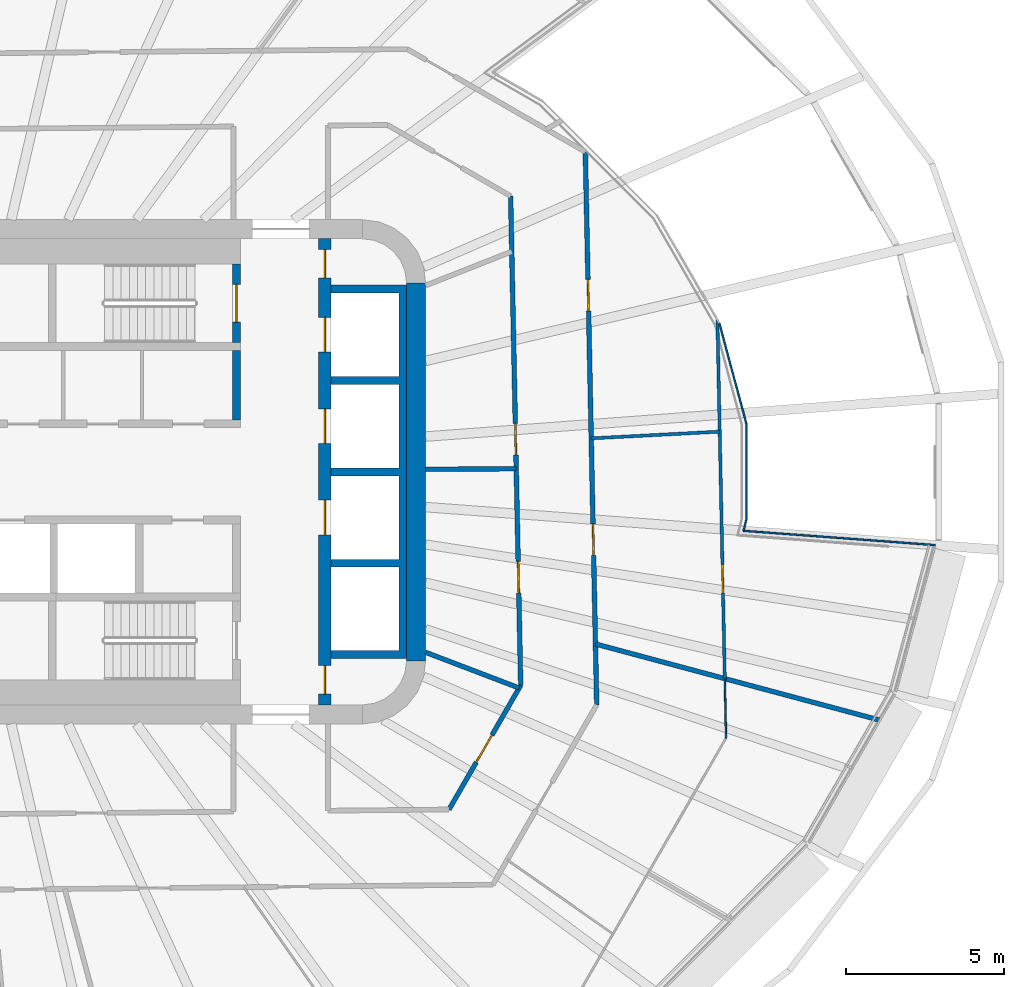
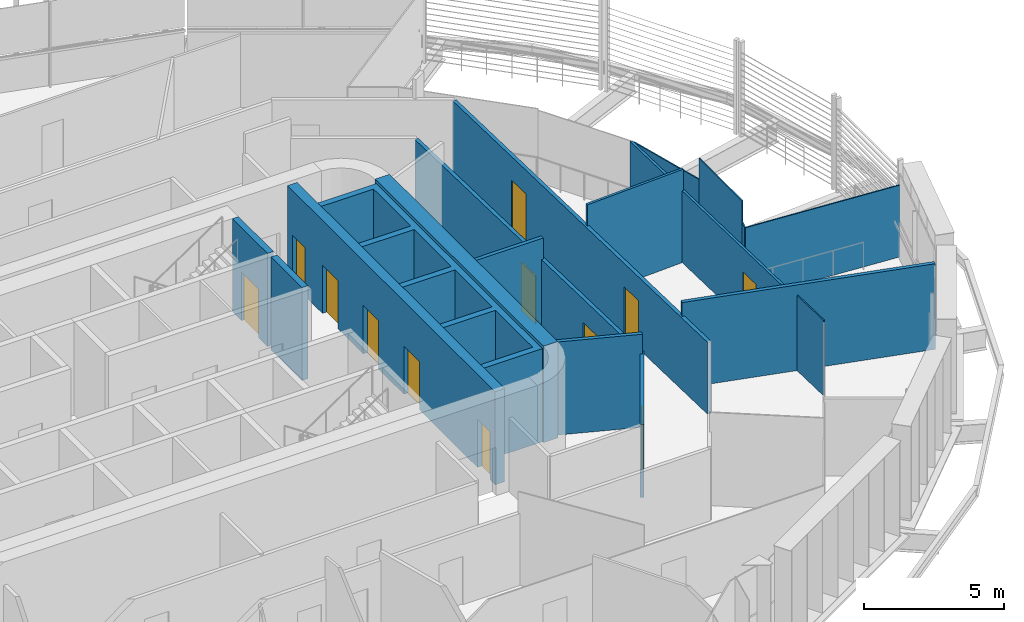
# One storey, part 15 of 24: 18 walls, 12 doors, 12 openings.
"""IFC4 building model written with IfcOpenShell, lengths in metres."""

from ifc_helpers import new_model, si_unit, direction, frame, frame_2d, origin, place, context, subcontext, project, spatial, polyline, rectangle, outline, extrude, material, layer, layer_set, type_object, element, fill, save


model = new_model("IFC4")

# Units and contexts
model_context = context("Model", 3, precision=1e-05, world=origin(), true_north=direction((0.0, 1.0)))
body_context = subcontext(model_context, "Body", "Model", "MODEL_VIEW")
ifc_project = project(units=[si_unit("LENGTHUNIT", "METRE"), si_unit("AREAUNIT", "SQUARE_METRE"), si_unit("VOLUMEUNIT", "CUBIC_METRE"), si_unit("PLANEANGLEUNIT", "RADIAN"), si_unit("MASSUNIT", "GRAM", prefix="KILO")], contexts=[model_context])

# Site, building, storey
site_placement = place(None, origin())
site = spatial("IfcSite", under=ifc_project, at=site_placement, CompositionType="ELEMENT")
building_placement = place(site_placement, origin())
building = spatial("IfcBuilding", under=site, at=building_placement, Name="Sahrelin Media Tower", CompositionType="ELEMENT")
storey_placement = place(building_placement, frame((0.0, 0.0, 71.39990234375)))
storey = spatial("IfcBuildingStorey", under=building, at=storey_placement, Name="L12", CompositionType="ELEMENT", Elevation=71.39990234375)

# Walls
ifc_material_1 = material(Name="Concrete C60/75", Category="concrete")
ifc_layer_1 = layer(ifc_material_1, 0.60009765625)
ifc_layer_set_1 = layer_set([ifc_layer_1], Name="Core wall 600")
wall_type_1 = type_object("IfcWallType", Name="Core wall 600", PredefinedType="SHEAR", material=ifc_layer_set_1)
wall_1_placement = place(storey_placement, frame((14.699951171875, -6.0, 0.0), z_axis=(0.0, 0.0, 1.0), x_axis=(0.0, 1.0, 0.0)))
element("IfcWall", 1, at=wall_1_placement, inside=storey, type_object=wall_type_1, Name="Core wall E L12", PredefinedType="SHEAR", context=body_context, shape_type="SweptSolid", body=[
    extrude(rectangle(XDim=12.0, YDim=0.60009765625, at=frame_2d((6.0, 0.0))), origin(), (0.0, 0.0, 1.0), 4.2001953125),
])
ifc_material_2 = material(Name="Fire-rated gypsum board partition")
ifc_layer_2 = layer(ifc_material_2, 0.25)
ifc_layer_set_2 = layer_set([ifc_layer_2], Name="Fire-rated lobby wall 250")
wall_type_2 = type_object("IfcWallType", Name="Fire-rated lobby wall 250", PredefinedType="PARTITIONING", material=ifc_layer_set_2)
wall_2_placement = place(storey_placement, frame((9.0, 1.64990234375, 0.0), z_axis=(0.0, 0.0, 1.0), x_axis=(0.0, 1.0, 0.0)))
element("IfcWall", 2, at=wall_2_placement, inside=storey, type_object=wall_type_2, Name="Core lobby wall", PredefinedType="PARTITIONING", context=body_context, shape_type="SweptSolid", body=[
    extrude(rectangle(XDim=2.2001953125, YDim=0.25, at=frame_2d((1.10009765625, 0.0))), origin(), (0.0, 0.0, 1.0), 4.050048828125),
])

# Wall, openings, doors
ifc_layer_3 = layer(ifc_material_2, 0.14990234375)
ifc_layer_set_3 = layer_set([ifc_layer_3], Name="Fire-rated partition 150")
wall_type_3 = type_object("IfcWallType", Name="Fire-rated partition 150", PredefinedType="PARTITIONING", material=ifc_layer_set_3)
wall_3_placement = place(storey_placement, frame((17.697021484375, 8.7529296875, 0.0), z_axis=(0.0, 0.0, 1.0), x_axis=(0.020608181841, -0.99978762887, 0.0)))
wall_3 = element("IfcWall", 3, at=wall_3_placement, inside=storey, type_object=wall_type_3, Name="Wall", PredefinedType="PARTITIONING", context=body_context, shape_type="SweptSolid", body=[
    extrude(rectangle(XDim=15.53125, YDim=0.14990234375, at=frame_2d((7.765625, 0.0))), origin(), (0.0, 0.0, 1.0), 3.127197265625),
])
opening_1_placement = place(wall_3_placement, frame((11.595703125, 0.0, 0.0)))
opening_1 = element("IfcOpeningElement", 4, at=opening_1_placement, cuts=wall_3, Name="Opening L12-D26", PredefinedType="OPENING", context=body_context, shape_type="SweptSolid", body=[
    extrude(rectangle(XDim=1.0, YDim=2.10009765625, at=frame_2d((0.5, 1.050048828125))), frame((0.0, 0.074951171875, 0.0), z_axis=(0.0, -1.0, 0.0), x_axis=(1.0, 0.0, 0.0)), (0.0, 0.0, 1.0), 0.14990234375),
])
opening_2_placement = place(wall_3_placement, frame((7.215576171875, 0.0, 0.0)))
opening_2 = element("IfcOpeningElement", 5, at=opening_2_placement, cuts=wall_3, Name="Opening L12-D27", PredefinedType="OPENING", context=body_context, shape_type="SweptSolid", body=[
    extrude(rectangle(XDim=1.0, YDim=2.10009765625, at=frame_2d((0.5, 1.050048828125))), frame((0.0, 0.074951171875, 0.0), z_axis=(0.0, -1.0, 0.0), x_axis=(1.0, 0.0, 0.0)), (0.0, 0.0, 1.0), 0.14990234375),
])
ifc_material_3 = material(Name="Steel fire door leaf", Category="steel")
door_type_1 = type_object("IfcDoorType", Name="Fire door 1000 x 2100 EI 60", OperationType="NOTDEFINED", PredefinedType="DOOR", material=ifc_material_3)
door_1_placement = place(opening_1_placement, origin())
door_1 = element("IfcDoor", 6, at=door_1_placement, inside=storey, type_object=door_type_1, Name="Fire door", OperationType="SINGLE_SWING_RIGHT", OverallHeight=2.10009765625, OverallWidth=1.0, PredefinedType="DOOR", context=body_context, shape_type="SweptSolid", body=[
    extrude(rectangle(XDim=1.0, YDim=2.10009765625, at=frame_2d((0.5, 1.050048828125))), frame((0.0, 0.02490234375, 0.0), z_axis=(0.0, -1.0, 0.0), x_axis=(1.0, 0.0, 0.0)), (0.0, 0.0, 1.0), 0.050048828125),
])
fill(opening_1, door_1)
door_2_placement = place(opening_2_placement, origin())
door_2 = element("IfcDoor", 7, at=door_2_placement, inside=storey, type_object=door_type_1, Name="Fire door", OperationType="SINGLE_SWING_LEFT", OverallHeight=2.10009765625, OverallWidth=1.0, PredefinedType="DOOR", context=body_context, shape_type="SweptSolid", body=[
    extrude(rectangle(XDim=1.0, YDim=2.10009765625, at=frame_2d((0.5, 1.050048828125))), frame((0.0, 0.02490234375, 0.0), z_axis=(0.0, -1.0, 0.0), x_axis=(1.0, 0.0, 0.0)), (0.0, 0.0, 1.0), 0.050048828125),
])
fill(opening_2, door_2)

wall_4_placement = place(storey_placement, frame((20.0673828125, 10.155029296875, 0.0), z_axis=(0.0, 0.0, 1.0), x_axis=(0.020611882214, -0.999787552589, 0.0)))
wall_4 = element("IfcWall", 8, at=wall_4_placement, inside=storey, type_object=wall_type_3, Name="Wall", PredefinedType="PARTITIONING", context=body_context, shape_type="SweptSolid", body=[
    extrude(rectangle(XDim=17.5537109375, YDim=0.14990234375, at=frame_2d((8.77685546875, 0.0))), origin(), (0.0, 0.0, 1.0), 3.127197265625),
])
opening_3_placement = place(wall_4_placement, frame((11.80810546875, 0.0, 0.0)))
opening_3 = element("IfcOpeningElement", 9, at=opening_3_placement, cuts=wall_4, Name="Opening L12-D50", PredefinedType="OPENING", context=body_context, shape_type="SweptSolid", body=[
    extrude(rectangle(XDim=1.0, YDim=2.10009765625, at=frame_2d((0.5, 1.050048828125))), frame((0.0, 0.074951171875, 0.0), z_axis=(0.0, -1.0, 0.0), x_axis=(1.0, 0.0, 0.0)), (0.0, 0.0, 1.0), 0.14990234375),
])
opening_4_placement = place(wall_4_placement, frame((4.0478515625, 0.0, 0.0)))
opening_4 = element("IfcOpeningElement", 10, at=opening_4_placement, cuts=wall_4, Name="Opening L12-D51", PredefinedType="OPENING", context=body_context, shape_type="SweptSolid", body=[
    extrude(rectangle(XDim=1.0, YDim=2.10009765625, at=frame_2d((0.5, 1.050048828125))), frame((0.0, 0.074951171875, 0.0), z_axis=(0.0, -1.0, 0.0), x_axis=(1.0, 0.0, 0.0)), (0.0, 0.0, 1.0), 0.14990234375),
])
door_3_placement = place(opening_3_placement, origin())
door_3 = element("IfcDoor", 11, at=door_3_placement, inside=storey, type_object=door_type_1, Name="Fire door", OperationType="SINGLE_SWING_RIGHT", OverallHeight=2.10009765625, OverallWidth=1.0, PredefinedType="DOOR", context=body_context, shape_type="SweptSolid", body=[
    extrude(rectangle(XDim=1.0, YDim=2.10009765625, at=frame_2d((0.5, 1.050048828125))), frame((0.0, 0.02490234375, 0.0), z_axis=(0.0, -1.0, 0.0), x_axis=(1.0, 0.0, 0.0)), (0.0, 0.0, 1.0), 0.050048828125),
])
fill(opening_3, door_3)
door_4_placement = place(opening_4_placement, origin())
door_4 = element("IfcDoor", 12, at=door_4_placement, inside=storey, type_object=door_type_1, Name="Fire door", OperationType="SINGLE_SWING_RIGHT", OverallHeight=2.10009765625, OverallWidth=1.0, PredefinedType="DOOR", context=body_context, shape_type="SweptSolid", body=[
    extrude(rectangle(XDim=1.0, YDim=2.10009765625, at=frame_2d((0.5, 1.050048828125))), frame((0.0, 0.02490234375, 0.0), z_axis=(0.0, -1.0, 0.0), x_axis=(1.0, 0.0, 0.0)), (0.0, 0.0, 1.0), 0.050048828125),
])
fill(opening_4, door_4)

# Walls
wall_5_placement = place(storey_placement, frame((15.0, -5.72705078125, 0.0), z_axis=(0.0, 0.0, 1.0), x_axis=(0.934237940374, -0.356650348053, 0.0)))
element("IfcWall", 13, at=wall_5_placement, inside=storey, type_object=wall_type_3, Name="Wall", PredefinedType="PARTITIONING", context=body_context, shape_type="SweptSolid", body=[
    extrude(rectangle(XDim=3.177001953125, YDim=0.14990234375, at=frame_2d((1.58837890625, 0.0))), origin(), (0.0, 0.0, 1.0), 4.050048828125),
])
wall_6_placement = place(storey_placement, frame((20.389892578125, -5.462890625, 0.0), z_axis=(0.0, 0.0, 1.0), x_axis=(0.965917395295, -0.25885050795, 0.0)))
element("IfcWall", 14, at=wall_6_placement, inside=storey, type_object=wall_type_3, Name="Wall", PredefinedType="PARTITIONING", context=body_context, shape_type="SweptSolid", body=[
    extrude(rectangle(XDim=9.349609375, YDim=0.14990234375, at=frame_2d((4.6748046875, 0.0))), origin(), (0.0, 0.0, 1.0), 3.726806640625),
])
wall_7_placement = place(storey_placement, frame((15.0, 0.0810546875, 0.0), z_axis=(0.0, 0.0, 1.0), x_axis=(0.999985231896, 0.005434702347, 0.0)))
element("IfcWall", 15, at=wall_7_placement, inside=storey, type_object=wall_type_3, Name="Wall", PredefinedType="PARTITIONING", context=body_context, shape_type="SweptSolid", body=[
    extrude(rectangle(XDim=2.875, YDim=0.14990234375, at=frame_2d((1.4375, 0.0))), origin(), (0.0, 0.0, 1.0), 4.050048828125),
])

# Wall, opening, door
wall_8_placement = place(storey_placement, frame((15.741943359375, -10.715087890625, 0.0), z_axis=(0.0, 0.0, 1.0), x_axis=(0.499965549051, 0.866045293135, 0.0)))
wall_8 = element("IfcWall", 16, at=wall_8_placement, inside=storey, type_object=wall_type_3, Name="Wall", PredefinedType="PARTITIONING", context=body_context, shape_type="SweptSolid", body=[
    extrude(rectangle(XDim=4.549560546875, YDim=0.14990234375, at=frame_2d((2.27490234375, 0.0))), origin(), (0.0, 0.0, 1.0), 3.1953125),
])
opening_5_placement = place(wall_8_placement, frame((1.727783203125, 0.0, 0.0)))
opening_5 = element("IfcOpeningElement", 17, at=opening_5_placement, cuts=wall_8, Name="Opening L12-D25", PredefinedType="OPENING", context=body_context, shape_type="SweptSolid", body=[
    extrude(rectangle(XDim=1.0, YDim=2.10009765625, at=frame_2d((0.5, 1.050048828125))), frame((0.0, 0.074951171875, 0.0), z_axis=(0.0, -1.0, 0.0), x_axis=(1.0, 0.0, 0.0)), (0.0, 0.0, 1.0), 0.14990234375),
])
door_5_placement = place(opening_5_placement, origin())
door_5 = element("IfcDoor", 18, at=door_5_placement, inside=storey, type_object=door_type_1, Name="Fire door", OperationType="SINGLE_SWING_RIGHT", OverallHeight=2.10009765625, OverallWidth=1.0, PredefinedType="DOOR", context=body_context, shape_type="SweptSolid", body=[
    extrude(rectangle(XDim=1.0, YDim=2.10009765625, at=frame_2d((0.5, 1.050048828125))), frame((0.0, 0.02490234375, 0.0), z_axis=(0.0, -1.0, 0.0), x_axis=(1.0, 0.0, 0.0)), (0.0, 0.0, 1.0), 0.050048828125),
])
fill(opening_5, door_5)

# Walls
ifc_material_4 = material(Name="Clear glass", Category="glass")
ifc_layer_4 = layer(ifc_material_4, 0.050048828125)
ifc_layer_set_4 = layer_set([ifc_layer_4], Name="Glazed partition 50")
wall_type_4 = type_object("IfcWallType", Name="Glazed partition 50", PredefinedType="PARTITIONING", material=ifc_layer_set_4)
wall_9_placement = place(storey_placement, frame((24.493896484375, -6.56298828125, 0.0), z_axis=(0.0, 0.0, 1.0), x_axis=(0.020707532967, -0.99978557605, 0.0)))
element("IfcWall", 19, at=wall_9_placement, inside=storey, type_object=wall_type_4, Name="Wall", PredefinedType="PARTITIONING", context=body_context, shape_type="SweptSolid", body=[
    extrude(rectangle(XDim=1.886474609375, YDim=0.050048828125, at=frame_2d((0.943359375, 0.0))), origin(), (0.0, 0.0, 1.0), 3.276123046875),
])
wall_10_placement = place(storey_placement, frame((24.326904296875, 4.7060546875, 0.0), z_axis=(0.0, 0.0, 1.0), x_axis=(0.258930604243, -0.965895927202, 0.0)))
element("IfcWall", 20, at=wall_10_placement, inside=storey, type_object=wall_type_4, Name="Wall", PredefinedType="PARTITIONING", context=body_context, shape_type="SweptSolid", body=[
    extrude(rectangle(XDim=3.283203125, YDim=0.050048828125, at=frame_2d((1.6416015625, 0.0))), origin(), (0.0, 0.0, 1.0), 3.127197265625),
])
wall_11_placement = place(storey_placement, frame((25.0869140625, -1.87109375, 0.0), z_axis=(0.0, 0.0, 1.0), x_axis=(0.997234603804, -0.074317864441, 0.0)))
element("IfcWall", 21, at=wall_11_placement, inside=storey, type_object=wall_type_4, Name="Wall", PredefinedType="PARTITIONING", context=body_context, shape_type="SweptSolid", body=[
    extrude(rectangle(XDim=6.10693359375, YDim=0.050048828125, at=frame_2d((3.053466796875, 0.0))), origin(), (0.0, 0.0, 1.0), 3.127197265625),
])
wall_12_placement = place(storey_placement, frame((25.0869140625, -1.87109375, 0.0), z_axis=(0.0, 0.0, 1.0), x_axis=(0.258841272413, 0.965919870225, 0.0)))
element("IfcWall", 22, at=wall_12_placement, inside=storey, type_object=wall_type_4, Name="Wall", PredefinedType="PARTITIONING", context=body_context, shape_type="SweptSolid", body=[
    extrude(rectangle(XDim=0.34814453125, YDim=0.050048828125, at=frame_2d((0.174072265625, 0.0))), origin(), (0.0, 0.0, 1.0), 3.127197265625),
])
wall_13_placement = place(storey_placement, frame((25.177001953125, -1.534912109375, 0.0), z_axis=(0.0, 0.0, 1.0), x_axis=(0.0, 1.0, 0.0)))
element("IfcWall", 23, at=wall_13_placement, inside=storey, type_object=wall_type_4, Name="Wall", PredefinedType="PARTITIONING", context=body_context, shape_type="SweptSolid", body=[
    extrude(rectangle(XDim=3.06982421875, YDim=0.050048828125, at=frame_2d((1.534912109375, 0.0))), origin(), (0.0, 0.0, 1.0), 4.050048828125),
])
ifc_layer_5 = layer(ifc_material_1, 0.25)
ifc_layer_set_5 = layer_set([ifc_layer_5], Name="Lift shaft wall 250")
wall_type_5 = type_object("IfcWallType", Name="Lift shaft wall 250", PredefinedType="SOLIDWALL", material=ifc_layer_set_5)
wall_14_placement = place(storey_placement, origin())
element("IfcWall", 24, at=wall_14_placement, inside=storey, type_object=wall_type_5, Name="Lift shaft wall", PredefinedType="SOLIDWALL", context=body_context, shape_type="SweptSolid", body=[
    extrude(outline(polyline([(12.0, -5.675048828125), (12.0, -5.925048828125), (14.14990234375, -5.925048828125), (14.39990234375, -5.925048828125), (14.39990234375, -5.675048828125), (14.39990234375, -3.02490234375), (14.39990234375, -2.77490234375), (14.39990234375, -0.125), (14.39990234375, 0.125), (14.39990234375, 2.77490234375), (14.39990234375, 3.02490234375), (14.39990234375, 5.675048828125), (14.39990234375, 5.925048828125), (14.14990234375, 5.925048828125), (12.0, 5.925048828125), (12.0, 5.675048828125), (14.14990234375, 5.675048828125), (14.14990234375, 3.02490234375), (12.0, 3.02490234375), (12.0, 2.77490234375), (14.14990234375, 2.77490234375), (14.14990234375, 0.125), (12.0, 0.125), (12.0, -0.125), (14.14990234375, -0.125), (14.14990234375, -2.77490234375), (12.0, -2.77490234375), (12.0, -3.02490234375), (14.14990234375, -3.02490234375), (14.14990234375, -5.675048828125), (12.0, -5.675048828125)])), origin(), (0.0, 0.0, 1.0), 4.050048828125),
])

# Wall, openings, doors
ifc_layer_6 = layer(ifc_material_1, 0.39990234375)
ifc_layer_set_6 = layer_set([ifc_layer_6], Name="Lift shaft wall 400")
wall_type_6 = type_object("IfcWallType", Name="Lift shaft wall 400", PredefinedType="SOLIDWALL", material=ifc_layer_set_6)
wall_15_placement = place(storey_placement, frame((11.800048828125, -7.39990234375, 0.0), z_axis=(0.0, 0.0, 1.0), x_axis=(0.0, 1.0, 0.0)))
wall_15 = element("IfcWall", 25, at=wall_15_placement, inside=storey, type_object=wall_type_6, Name="Lift shaft wall", PredefinedType="SOLIDWALL", context=body_context, shape_type="SweptSolid", body=[
    extrude(rectangle(XDim=14.7998046875, YDim=0.39990234375, at=frame_2d((7.39990234375, 0.0))), origin(), (0.0, 0.0, 1.0), 4.050048828125),
])
opening_6_placement = place(wall_15_placement, frame((11.199951171875, 0.0, 0.0)))
opening_6 = element("IfcOpeningElement", 26, at=opening_6_placement, cuts=wall_15, Name="Opening L12-LD-LR4", PredefinedType="OPENING", context=body_context, shape_type="SweptSolid", body=[
    extrude(rectangle(XDim=1.10009765625, YDim=2.10009765625, at=frame_2d((0.550048828125, 1.050048828125))), frame((0.0, 0.199951171875, 0.0), z_axis=(0.0, -1.0, 0.0), x_axis=(1.0, 0.0, 0.0)), (0.0, 0.0, 1.0), 0.39990234375),
])
opening_7_placement = place(wall_15_placement, frame((8.300048828125, 0.0, 0.0)))
opening_7 = element("IfcOpeningElement", 27, at=opening_7_placement, cuts=wall_15, Name="Opening L12-LD-LR5", PredefinedType="OPENING", context=body_context, shape_type="SweptSolid", body=[
    extrude(rectangle(XDim=1.10009765625, YDim=2.10009765625, at=frame_2d((0.550048828125, 1.050048828125))), frame((0.0, 0.199951171875, 0.0), z_axis=(0.0, -1.0, 0.0), x_axis=(1.0, 0.0, 0.0)), (0.0, 0.0, 1.0), 0.39990234375),
])
opening_8_placement = place(wall_15_placement, frame((5.39990234375, 0.0, 0.0)))
opening_8 = element("IfcOpeningElement", 28, at=opening_8_placement, cuts=wall_15, Name="Opening L12-LD-LR6", PredefinedType="OPENING", context=body_context, shape_type="SweptSolid", body=[
    extrude(rectangle(XDim=1.10009765625, YDim=2.10009765625, at=frame_2d((0.550048828125, 1.050048828125))), frame((0.0, 0.199951171875, 0.0), z_axis=(0.0, -1.0, 0.0), x_axis=(1.0, 0.0, 0.0)), (0.0, 0.0, 1.0), 0.39990234375),
])
opening_9_placement = place(wall_15_placement, frame((13.552490234375, 0.0, 0.0)))
opening_9 = element("IfcOpeningElement", 29, at=opening_9_placement, cuts=wall_15, Name="Opening L12-D17", PredefinedType="OPENING", context=body_context, shape_type="SweptSolid", body=[
    extrude(rectangle(XDim=0.89990234375, YDim=2.10009765625, at=frame_2d((0.449951171875, 1.050048828125))), frame((0.0, 0.199951171875, 0.0), z_axis=(0.0, -1.0, 0.0), x_axis=(1.0, 0.0, 0.0)), (0.0, 0.0, 1.0), 0.39990234375),
])
opening_10_placement = place(wall_15_placement, frame((0.347412109375, 0.0, 0.0)))
opening_10 = element("IfcOpeningElement", 30, at=opening_10_placement, cuts=wall_15, Name="Opening L12-D18", PredefinedType="OPENING", context=body_context, shape_type="SweptSolid", body=[
    extrude(rectangle(XDim=0.89990234375, YDim=2.10009765625, at=frame_2d((0.449951171875, 1.050048828125))), frame((0.0, 0.199951171875, 0.0), z_axis=(0.0, -1.0, 0.0), x_axis=(1.0, 0.0, 0.0)), (0.0, 0.0, 1.0), 0.39990234375),
])
ifc_material_5 = material(Name="Stainless steel", Category="steel")
door_type_2 = type_object("IfcDoorType", Name="Lift landing door 1100 x 2100 EI 120", OperationType="DOUBLE_DOOR_SLIDING", PredefinedType="DOOR", material=ifc_material_5)
door_6_placement = place(opening_6_placement, origin())
door_6 = element("IfcDoor", 31, at=door_6_placement, inside=storey, type_object=door_type_2, Name="Lift landing door LR4", OperationType="DOUBLE_DOOR_SLIDING", OverallHeight=2.10009765625, OverallWidth=1.10009765625, PredefinedType="DOOR", context=body_context, shape_type="SweptSolid", body=[
    extrude(rectangle(XDim=1.10009765625, YDim=2.10009765625, at=frame_2d((0.550048828125, 1.050048828125))), frame((0.0, 0.02490234375, 0.0), z_axis=(0.0, -1.0, 0.0), x_axis=(1.0, 0.0, 0.0)), (0.0, 0.0, 1.0), 0.050048828125),
])
fill(opening_6, door_6)
door_7_placement = place(opening_7_placement, origin())
door_7 = element("IfcDoor", 32, at=door_7_placement, inside=storey, type_object=door_type_2, Name="Lift landing door LR5", OperationType="DOUBLE_DOOR_SLIDING", OverallHeight=2.10009765625, OverallWidth=1.10009765625, PredefinedType="DOOR", context=body_context, shape_type="SweptSolid", body=[
    extrude(rectangle(XDim=1.10009765625, YDim=2.10009765625, at=frame_2d((0.550048828125, 1.050048828125))), frame((0.0, 0.02490234375, 0.0), z_axis=(0.0, -1.0, 0.0), x_axis=(1.0, 0.0, 0.0)), (0.0, 0.0, 1.0), 0.050048828125),
])
fill(opening_7, door_7)
door_8_placement = place(opening_8_placement, origin())
door_8 = element("IfcDoor", 33, at=door_8_placement, inside=storey, type_object=door_type_2, Name="Lift landing door LR6", OperationType="DOUBLE_DOOR_SLIDING", OverallHeight=2.10009765625, OverallWidth=1.10009765625, PredefinedType="DOOR", context=body_context, shape_type="SweptSolid", body=[
    extrude(rectangle(XDim=1.10009765625, YDim=2.10009765625, at=frame_2d((0.550048828125, 1.050048828125))), frame((0.0, 0.02490234375, 0.0), z_axis=(0.0, -1.0, 0.0), x_axis=(1.0, 0.0, 0.0)), (0.0, 0.0, 1.0), 0.050048828125),
])
fill(opening_8, door_8)
door_type_3 = type_object("IfcDoorType", Name="Riser door 900 x 2100 EI 120", OperationType="NOTDEFINED", PredefinedType="DOOR", material=ifc_material_3)
door_9_placement = place(opening_9_placement, origin())
door_9 = element("IfcDoor", 34, at=door_9_placement, inside=storey, type_object=door_type_3, Name="Riser door", OperationType="SINGLE_SWING_RIGHT", OverallHeight=2.10009765625, OverallWidth=0.89990234375, PredefinedType="DOOR", context=body_context, shape_type="SweptSolid", body=[
    extrude(rectangle(XDim=0.89990234375, YDim=2.10009765625, at=frame_2d((0.449951171875, 1.050048828125))), frame((0.0, 0.02490234375, 0.0), z_axis=(0.0, -1.0, 0.0), x_axis=(1.0, 0.0, 0.0)), (0.0, 0.0, 1.0), 0.050048828125),
])
fill(opening_9, door_9)
door_10_placement = place(opening_10_placement, origin())
door_10 = element("IfcDoor", 35, at=door_10_placement, inside=storey, type_object=door_type_3, Name="Riser door", OperationType="SINGLE_SWING_RIGHT", OverallHeight=2.10009765625, OverallWidth=0.89990234375, PredefinedType="DOOR", context=body_context, shape_type="SweptSolid", body=[
    extrude(rectangle(XDim=0.89990234375, YDim=2.10009765625, at=frame_2d((0.449951171875, 1.050048828125))), frame((0.0, 0.02490234375, 0.0), z_axis=(0.0, -1.0, 0.0), x_axis=(1.0, 0.0, 0.0)), (0.0, 0.0, 1.0), 0.050048828125),
])
fill(opening_10, door_10)

# Wall, opening, door
ifc_material_6 = material(Name="Gypsum board partition")
ifc_layer_7 = layer(ifc_material_6, 0.10009765625)
ifc_layer_set_7 = layer_set([ifc_layer_7], Name="Partition 100")
wall_type_7 = type_object("IfcWallType", Name="Partition 100", PredefinedType="PARTITIONING", material=ifc_layer_set_7)
wall_16_placement = place(storey_placement, frame((24.259033203125, 4.822998046875, 0.0), z_axis=(0.0, 0.0, 1.0), x_axis=(0.020601583336, -0.99978776486, 0.0)))
wall_16 = element("IfcWall", 36, at=wall_16_placement, inside=storey, type_object=wall_type_7, Name="Wall", PredefinedType="PARTITIONING", context=body_context, shape_type="SweptSolid", body=[
    extrude(rectangle(XDim=11.388427734375, YDim=0.10009765625, at=frame_2d((5.6943359375, 0.0))), origin(), (0.0, 0.0, 1.0), 3.127197265625),
])
opening_11_placement = place(wall_16_placement, frame((7.76904296875, 0.0, 0.0)))
opening_11 = element("IfcOpeningElement", 37, at=opening_11_placement, cuts=wall_16, Name="Opening L12-D52", PredefinedType="OPENING", context=body_context, shape_type="SweptSolid", body=[
    extrude(rectangle(XDim=0.89990234375, YDim=2.10009765625, at=frame_2d((0.449951171875, 1.050048828125))), frame((0.0, 0.050048828125, 0.0), z_axis=(0.0, -1.0, 0.0), x_axis=(1.0, 0.0, 0.0)), (0.0, 0.0, 1.0), 0.10009765625),
])
ifc_material_7 = material(Name="Timber door leaf", Category="wood")
door_type_4 = type_object("IfcDoorType", Name="Single door 900 x 2100", OperationType="NOTDEFINED", PredefinedType="DOOR", material=ifc_material_7)
door_11_placement = place(opening_11_placement, origin())
door_11 = element("IfcDoor", 38, at=door_11_placement, inside=storey, type_object=door_type_4, Name="Single door", OperationType="SINGLE_SWING_RIGHT", OverallHeight=2.10009765625, OverallWidth=0.89990234375, PredefinedType="DOOR", context=body_context, shape_type="SweptSolid", body=[
    extrude(rectangle(XDim=0.89990234375, YDim=2.10009765625, at=frame_2d((0.449951171875, 1.050048828125))), frame((0.0, 0.02490234375, 0.0), z_axis=(0.0, -1.0, 0.0), x_axis=(1.0, 0.0, 0.0)), (0.0, 0.0, 1.0), 0.050048828125),
])
fill(opening_11, door_11)

# Wall
wall_17_placement = place(storey_placement, frame((20.256103515625, 1.06201171875, 0.0), z_axis=(0.0, 0.0, 1.0), x_axis=(0.998626243597, 0.052398717544, 0.0)))
element("IfcWall", 39, at=wall_17_placement, inside=storey, type_object=wall_type_7, Name="Wall", PredefinedType="PARTITIONING", context=body_context, shape_type="SweptSolid", body=[
    extrude(rectangle(XDim=4.08154296875, YDim=0.10009765625, at=frame_2d((2.040771484375, 0.0))), origin(), (0.0, 0.0, 1.0), 4.050048828125),
])

# Wall, opening, door
ifc_layer_8 = layer(ifc_material_1, 0.25)
ifc_layer_set_8 = layer_set([ifc_layer_8], Name="Stair enclosure wall 250")
wall_type_8 = type_object("IfcWallType", Name="Stair enclosure wall 250", PredefinedType="SOLIDWALL", material=ifc_layer_set_8)
wall_18_placement = place(storey_placement, frame((9.0, 4.10009765625, 0.0), z_axis=(0.0, 0.0, 1.0), x_axis=(0.0, 1.0, 0.0)))
wall_18 = element("IfcWall", 40, at=wall_18_placement, inside=storey, type_object=wall_type_8, Name="Stair enclosure wall", PredefinedType="SOLIDWALL", context=body_context, shape_type="SweptSolid", body=[
    extrude(rectangle(XDim=2.5, YDim=0.25, at=frame_2d((1.25, 0.0))), origin(), (0.0, 0.0, 1.0), 4.050048828125),
])
opening_12_placement = place(wall_18_placement, frame((0.64990234375, 0.0, 0.0)))
opening_12 = element("IfcOpeningElement", 41, at=opening_12_placement, cuts=wall_18, Name="Opening L12-D02", PredefinedType="OPENING", context=body_context, shape_type="SweptSolid", body=[
    extrude(rectangle(XDim=1.199951171875, YDim=2.10009765625, at=frame_2d((0.60009765625, 1.050048828125))), frame((0.0, 0.125, 0.0), z_axis=(0.0, -1.0, 0.0), x_axis=(1.0, 0.0, 0.0)), (0.0, 0.0, 1.0), 0.25),
])
door_type_5 = type_object("IfcDoorType", Name="Stair door 1200 x 2100 EI 120", OperationType="NOTDEFINED", PredefinedType="DOOR", material=ifc_material_3)
door_12_placement = place(opening_12_placement, origin())
door_12 = element("IfcDoor", 42, at=door_12_placement, inside=storey, type_object=door_type_5, Name="Stair door ST3", OperationType="SINGLE_SWING_LEFT", OverallHeight=2.10009765625, OverallWidth=1.199951171875, PredefinedType="DOOR", context=body_context, shape_type="SweptSolid", body=[
    extrude(rectangle(XDim=1.199951171875, YDim=2.10009765625, at=frame_2d((0.60009765625, 1.050048828125))), frame((0.0, 0.02490234375, 0.0), z_axis=(0.0, -1.0, 0.0), x_axis=(1.0, 0.0, 0.0)), (0.0, 0.0, 1.0), 0.050048828125),
])
fill(opening_12, door_12)

save(model, "model.ifc")
